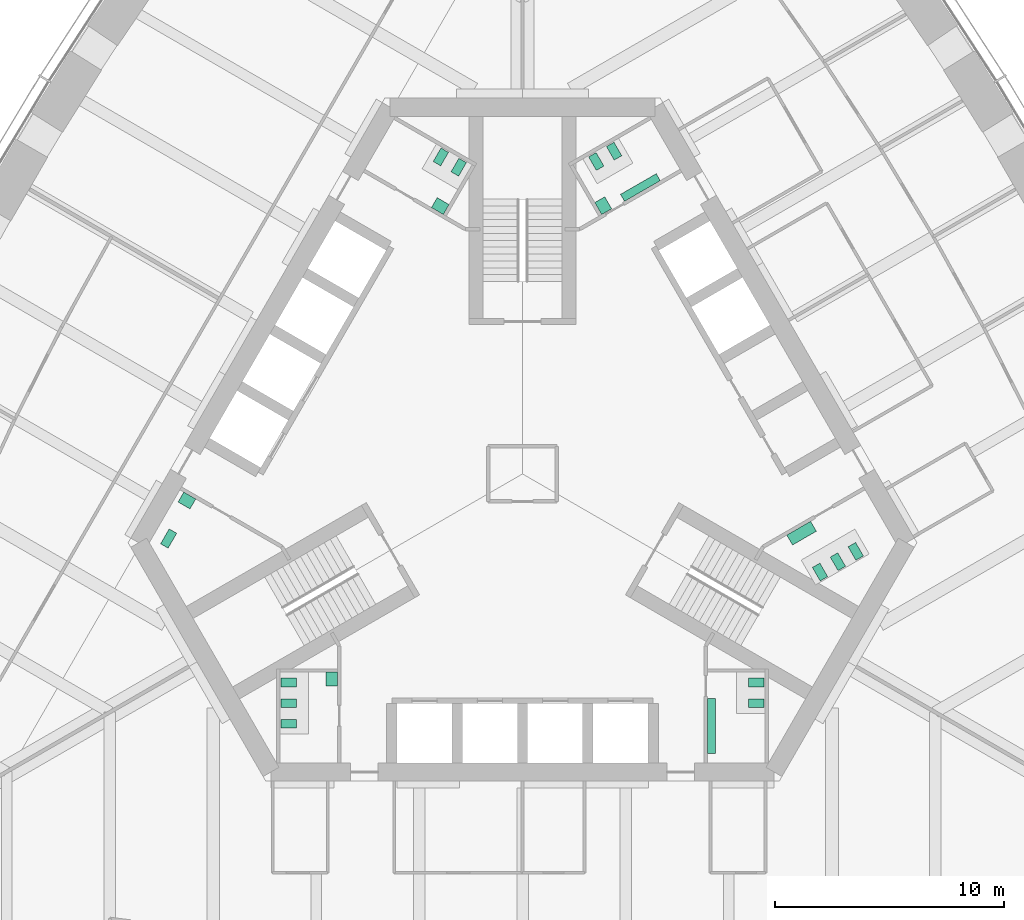
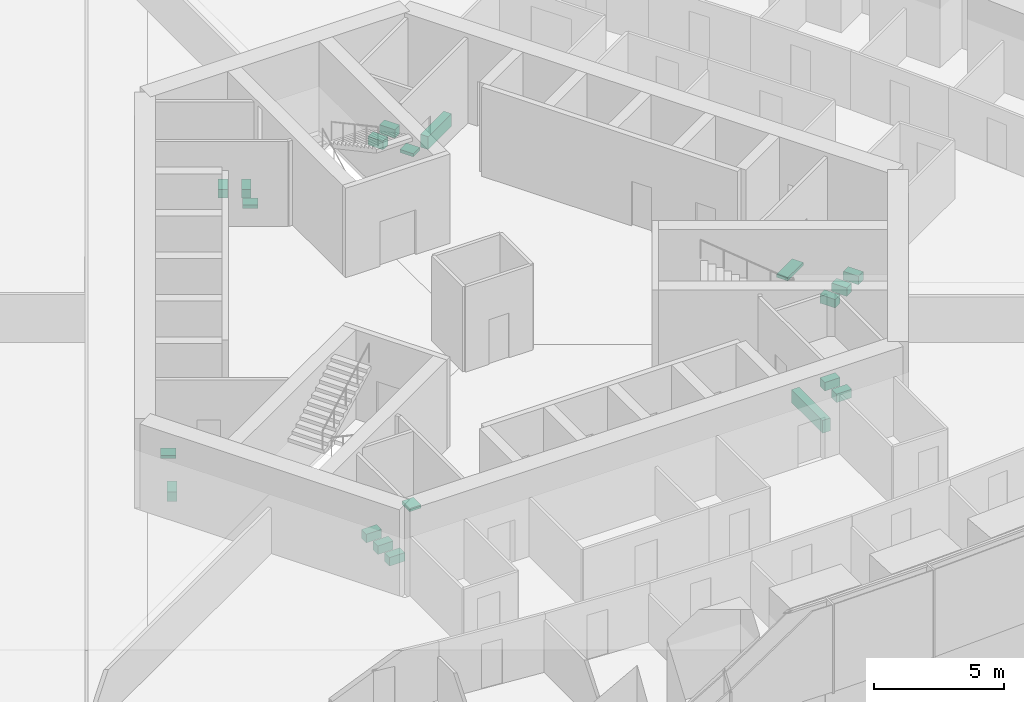
# One storey, part 19 of 20: 20 sanitary terminals.
"""IFC4 building model written with IfcOpenShell, lengths in metres."""

from ifc_helpers import new_model, si_unit, direction, frame, origin, place, context, subcontext, project, spatial, polyline, outline, extrude, material, type_object, element, save


model = new_model("IFC4")

# Units and contexts
model_context = context("Model", 3, precision=1e-05, world=origin(), true_north=direction((0.0, 1.0)))
body_context = subcontext(model_context, "Body", "Model", "MODEL_VIEW")
ifc_project = project(units=[si_unit("LENGTHUNIT", "METRE"), si_unit("AREAUNIT", "SQUARE_METRE"), si_unit("VOLUMEUNIT", "CUBIC_METRE"), si_unit("PLANEANGLEUNIT", "RADIAN"), si_unit("MASSUNIT", "GRAM", prefix="KILO")], contexts=[model_context])

# Site, building, storey
site_placement = place(None, origin())
site = spatial("IfcSite", under=ifc_project, at=site_placement, CompositionType="ELEMENT")
building_placement = place(site_placement, origin())
building = spatial("IfcBuilding", under=site, at=building_placement, Name="Trefoil Bronze Tower", CompositionType="ELEMENT")
storey_placement = place(building_placement, frame((0.0, 0.0, 103.10009765625)))
storey = spatial("IfcBuildingStorey", under=building, at=storey_placement, Name="L23", CompositionType="ELEMENT", Elevation=103.10009765625)

# Sanitary terminals
ifc_material_1 = material(Name="Vitreous china", Category="ceramic")
sanitary_terminal_type_1 = type_object("IfcSanitaryTerminalType", Name="Accessible WC pan", PredefinedType="TOILETPAN", material=ifc_material_1)
sanitary_terminal_1_placement = place(storey_placement, origin())
element("IfcSanitaryTerminal", 1, at=sanitary_terminal_1_placement, inside=storey, type_object=sanitary_terminal_type_1, Name="WC pan 1 Accessible WC L23", PredefinedType="TOILETPAN", context=body_context, shape_type="SweptSolid", body=[
    extrude(outline(polyline([(-15.085693359375, -2.589111328125), (-15.460693359375, -3.238525390625), (-15.789794921875, -3.048583984375), (-15.414794921875, -2.399169921875), (-15.085693359375, -2.589111328125)])), origin(), (0.0, 0.0, 1.0), 0.449951171875),
])
ifc_material_2 = material(Name="Vitreous china", Category="ceramic")
sanitary_terminal_type_2 = type_object("IfcSanitaryTerminalType", Name="Accessible basin", PredefinedType="WASHHANDBASIN", material=ifc_material_2)
sanitary_terminal_2_placement = place(storey_placement, frame((0.0, 0.0, 0.64990234375)))
element("IfcSanitaryTerminal", 2, at=sanitary_terminal_2_placement, inside=storey, type_object=sanitary_terminal_type_2, Name="Wash basin Accessible WC L23", PredefinedType="WASHHANDBASIN", context=body_context, shape_type="SweptSolid", body=[
    extrude(outline(polyline([(-14.256591796875, -1.09326171875), (-14.506591796875, -1.526123046875), (-15.026123046875, -1.22607421875), (-14.776123046875, -0.793212890625), (-14.256591796875, -1.09326171875)])), origin(), (0.0, 0.0, 1.0), 0.14990234375),
])
ifc_material_3 = material(Name="Vitreous china", Category="ceramic")
sanitary_terminal_type_3 = type_object("IfcSanitaryTerminalType", Name="Urinal range 3 urinals", PredefinedType="URINAL", material=ifc_material_3)
sanitary_terminal_3_placement = place(storey_placement, frame((0.0, 0.0, 0.39990234375)))
element("IfcSanitaryTerminal", 3, at=sanitary_terminal_3_placement, inside=storey, type_object=sanitary_terminal_type_3, Name="Urinal range WC (men) L23", PredefinedType="URINAL", context=body_context, shape_type="SweptSolid", body=[
    extrude(outline(polyline([(4.449462890625, 11.89306640625), (4.274658203125, 12.1962890625), (5.83349609375, 13.09619140625), (6.00830078125, 12.793212890625), (4.449462890625, 11.89306640625)])), origin(), (0.0, 0.0, 1.0), 0.60009765625),
])
ifc_material_4 = material(Name="Vitreous china", Category="ceramic")
sanitary_terminal_type_4 = type_object("IfcSanitaryTerminalType", Name="Urinal range 4 urinals", PredefinedType="URINAL", material=ifc_material_4)
sanitary_terminal_4_placement = place(storey_placement, frame((0.0, 0.0, 0.39990234375)))
element("IfcSanitaryTerminal", 4, at=sanitary_terminal_4_placement, inside=storey, type_object=sanitary_terminal_type_4, Name="Urinal range WC (men) L23", PredefinedType="URINAL", context=body_context, shape_type="SweptSolid", body=[
    extrude(outline(polyline([(8.074951171875, -9.800048828125), (8.425048828125, -9.800048828125), (8.425048828125, -12.199951171875), (8.074951171875, -12.199951171875), (8.074951171875, -9.800048828125)])), origin(), (0.0, 0.0, 1.0), 0.60009765625),
])
ifc_material_5 = material(Name="Solid surface vanity", Category="plastic")
sanitary_terminal_type_5 = type_object("IfcSanitaryTerminalType", Name="Vanity unit 1 basins", PredefinedType="WASHHANDBASIN", material=ifc_material_5)
sanitary_terminal_5_placement = place(storey_placement, frame((0.0, 0.0, 0.75)))
element("IfcSanitaryTerminal", 5, at=sanitary_terminal_5_placement, inside=storey, type_object=sanitary_terminal_type_5, Name="Vanity unit WC (men) L23", PredefinedType="WASHHANDBASIN", context=body_context, shape_type="SweptSolid", body=[
    extrude(outline(polyline([(3.45361328125, 11.318115234375), (3.153564453125, 11.837890625), (3.586669921875, 12.087890625), (3.88671875, 11.568115234375), (3.45361328125, 11.318115234375)])), origin(), (0.0, 0.0, 1.0), 0.14990234375),
])
sanitary_terminal_6_placement = place(storey_placement, frame((0.0, 0.0, 0.75)))
element("IfcSanitaryTerminal", 6, at=sanitary_terminal_6_placement, inside=storey, type_object=sanitary_terminal_type_5, Name="Vanity unit WC (women) L23", PredefinedType="WASHHANDBASIN", context=body_context, shape_type="SweptSolid", body=[
    extrude(outline(polyline([(-3.45361328125, 11.318115234375), (-3.20361328125, 11.751220703125), (-3.72314453125, 12.05126953125), (-3.97314453125, 11.6181640625), (-3.45361328125, 11.318115234375)])), origin(), (0.0, 0.0, 1.0), 0.14990234375),
])
sanitary_terminal_7_placement = place(storey_placement, frame((0.0, 0.0, 0.75)))
element("IfcSanitaryTerminal", 7, at=sanitary_terminal_7_placement, inside=storey, type_object=sanitary_terminal_type_5, Name="Vanity unit WC (women) L23", PredefinedType="WASHHANDBASIN", context=body_context, shape_type="SweptSolid", body=[
    extrude(outline(polyline([(-8.074951171875, -8.64990234375), (-8.574951171875, -8.64990234375), (-8.574951171875, -9.25), (-8.074951171875, -9.25), (-8.074951171875, -8.64990234375)])), origin(), (0.0, 0.0, 1.0), 0.14990234375),
])
ifc_material_6 = material(Name="Solid surface vanity", Category="plastic")
sanitary_terminal_type_6 = type_object("IfcSanitaryTerminalType", Name="Vanity unit 2 basins", PredefinedType="WASHHANDBASIN", material=ifc_material_6)
sanitary_terminal_8_placement = place(storey_placement, frame((0.0, 0.0, 0.75)))
element("IfcSanitaryTerminal", 8, at=sanitary_terminal_8_placement, inside=storey, type_object=sanitary_terminal_type_6, Name="Vanity unit WC (women) L23", PredefinedType="WASHHANDBASIN", context=body_context, shape_type="SweptSolid", body=[
    extrude(outline(polyline([(11.528564453125, -2.668212890625), (11.778564453125, -3.10107421875), (12.81787109375, -2.501220703125), (12.56787109375, -2.068115234375), (11.528564453125, -2.668212890625)])), origin(), (0.0, 0.0, 1.0), 0.14990234375),
])
ifc_material_7 = material(Name="Vitreous china", Category="ceramic")
sanitary_terminal_type_7 = type_object("IfcSanitaryTerminalType", Name="WC pan", PredefinedType="TOILETPAN", material=ifc_material_7)
sanitary_terminal_9_placement = place(storey_placement, origin())
element("IfcSanitaryTerminal", 9, at=sanitary_terminal_9_placement, inside=storey, type_object=sanitary_terminal_type_7, Name="WC pan 1 WC (men) L23", PredefinedType="TOILETPAN", context=body_context, shape_type="SweptSolid", body=[
    extrude(outline(polyline([(9.85498046875, -8.909912109375), (10.534912109375, -8.909912109375), (10.534912109375, -9.2900390625), (9.85498046875, -9.2900390625), (9.85498046875, -8.909912109375)])), origin(), (0.0, 0.0, 1.0), 0.39990234375),
])
sanitary_terminal_10_placement = place(storey_placement, origin())
element("IfcSanitaryTerminal", 10, at=sanitary_terminal_10_placement, inside=storey, type_object=sanitary_terminal_type_7, Name="WC pan 2 WC (men) L23", PredefinedType="TOILETPAN", context=body_context, shape_type="SweptSolid", body=[
    extrude(outline(polyline([(9.85498046875, -9.81005859375), (10.534912109375, -9.81005859375), (10.534912109375, -10.18994140625), (9.85498046875, -10.18994140625), (9.85498046875, -9.81005859375)])), origin(), (0.0, 0.0, 1.0), 0.39990234375),
])
sanitary_terminal_11_placement = place(storey_placement, origin())
element("IfcSanitaryTerminal", 11, at=sanitary_terminal_11_placement, inside=storey, type_object=sanitary_terminal_type_7, Name="WC pan 1 WC (women) L23", PredefinedType="TOILETPAN", context=body_context, shape_type="SweptSolid", body=[
    extrude(outline(polyline([(12.643798828125, -4.07958984375), (12.98388671875, -4.66845703125), (13.31298828125, -4.478515625), (12.972900390625, -3.8896484375), (12.643798828125, -4.07958984375)])), origin(), (0.0, 0.0, 1.0), 0.39990234375),
])
sanitary_terminal_12_placement = place(storey_placement, origin())
element("IfcSanitaryTerminal", 12, at=sanitary_terminal_12_placement, inside=storey, type_object=sanitary_terminal_type_7, Name="WC pan 2 WC (women) L23", PredefinedType="TOILETPAN", context=body_context, shape_type="SweptSolid", body=[
    extrude(outline(polyline([(13.423095703125, -3.629638671875), (13.76318359375, -4.218505859375), (14.09228515625, -4.028564453125), (13.752197265625, -3.439697265625), (13.423095703125, -3.629638671875)])), origin(), (0.0, 0.0, 1.0), 0.39990234375),
])
sanitary_terminal_13_placement = place(storey_placement, origin())
element("IfcSanitaryTerminal", 13, at=sanitary_terminal_13_placement, inside=storey, type_object=sanitary_terminal_type_7, Name="WC pan 3 WC (women) L23", PredefinedType="TOILETPAN", context=body_context, shape_type="SweptSolid", body=[
    extrude(outline(polyline([(14.20263671875, -3.1796875), (14.542724609375, -3.7685546875), (14.871826171875, -3.57861328125), (14.53173828125, -2.98974609375), (14.20263671875, -3.1796875)])), origin(), (0.0, 0.0, 1.0), 0.39990234375),
])
sanitary_terminal_14_placement = place(storey_placement, origin())
element("IfcSanitaryTerminal", 14, at=sanitary_terminal_14_placement, inside=storey, type_object=sanitary_terminal_type_7, Name="WC pan 1 WC (men) L23", PredefinedType="TOILETPAN", context=body_context, shape_type="SweptSolid", body=[
    extrude(outline(polyline([(3.2216796875, 13.23974609375), (2.8818359375, 13.82861328125), (3.2109375, 14.0185546875), (3.55078125, 13.4296875), (3.2216796875, 13.23974609375)])), origin(), (0.0, 0.0, 1.0), 0.39990234375),
])
sanitary_terminal_15_placement = place(storey_placement, origin())
element("IfcSanitaryTerminal", 15, at=sanitary_terminal_15_placement, inside=storey, type_object=sanitary_terminal_type_7, Name="WC pan 2 WC (men) L23", PredefinedType="TOILETPAN", context=body_context, shape_type="SweptSolid", body=[
    extrude(outline(polyline([(4.001220703125, 13.689697265625), (3.6611328125, 14.278564453125), (3.990234375, 14.468505859375), (4.330322265625, 13.879638671875), (4.001220703125, 13.689697265625)])), origin(), (0.0, 0.0, 1.0), 0.39990234375),
])
sanitary_terminal_16_placement = place(storey_placement, origin())
element("IfcSanitaryTerminal", 16, at=sanitary_terminal_16_placement, inside=storey, type_object=sanitary_terminal_type_7, Name="WC pan 1 WC (women) L23", PredefinedType="TOILETPAN", context=body_context, shape_type="SweptSolid", body=[
    extrude(outline(polyline([(-2.788818359375, 12.98974609375), (-2.44873046875, 13.57861328125), (-2.77783203125, 13.7685546875), (-3.117919921875, 13.1796875), (-2.788818359375, 12.98974609375)])), origin(), (0.0, 0.0, 1.0), 0.39990234375),
])
sanitary_terminal_17_placement = place(storey_placement, origin())
element("IfcSanitaryTerminal", 17, at=sanitary_terminal_17_placement, inside=storey, type_object=sanitary_terminal_type_7, Name="WC pan 2 WC (women) L23", PredefinedType="TOILETPAN", context=body_context, shape_type="SweptSolid", body=[
    extrude(outline(polyline([(-3.568115234375, 13.439697265625), (-3.228271484375, 14.028564453125), (-3.557373046875, 14.218505859375), (-3.897216796875, 13.629638671875), (-3.568115234375, 13.439697265625)])), origin(), (0.0, 0.0, 1.0), 0.39990234375),
])
sanitary_terminal_18_placement = place(storey_placement, origin())
element("IfcSanitaryTerminal", 18, at=sanitary_terminal_18_placement, inside=storey, type_object=sanitary_terminal_type_7, Name="WC pan 1 WC (women) L23", PredefinedType="TOILETPAN", context=body_context, shape_type="SweptSolid", body=[
    extrude(outline(polyline([(-9.85498046875, -8.909912109375), (-10.534912109375, -8.909912109375), (-10.534912109375, -9.2900390625), (-9.85498046875, -9.2900390625), (-9.85498046875, -8.909912109375)])), origin(), (0.0, 0.0, 1.0), 0.39990234375),
])
sanitary_terminal_19_placement = place(storey_placement, origin())
element("IfcSanitaryTerminal", 19, at=sanitary_terminal_19_placement, inside=storey, type_object=sanitary_terminal_type_7, Name="WC pan 2 WC (women) L23", PredefinedType="TOILETPAN", context=body_context, shape_type="SweptSolid", body=[
    extrude(outline(polyline([(-9.85498046875, -9.81005859375), (-10.534912109375, -9.81005859375), (-10.534912109375, -10.18994140625), (-9.85498046875, -10.18994140625), (-9.85498046875, -9.81005859375)])), origin(), (0.0, 0.0, 1.0), 0.39990234375),
])
sanitary_terminal_20_placement = place(storey_placement, origin())
element("IfcSanitaryTerminal", 20, at=sanitary_terminal_20_placement, inside=storey, type_object=sanitary_terminal_type_7, Name="WC pan 3 WC (women) L23", PredefinedType="TOILETPAN", context=body_context, shape_type="SweptSolid", body=[
    extrude(outline(polyline([(-9.85498046875, -10.7099609375), (-10.534912109375, -10.7099609375), (-10.534912109375, -11.090087890625), (-9.85498046875, -11.090087890625), (-9.85498046875, -10.7099609375)])), origin(), (0.0, 0.0, 1.0), 0.39990234375),
])

save(model, "model.ifc")
